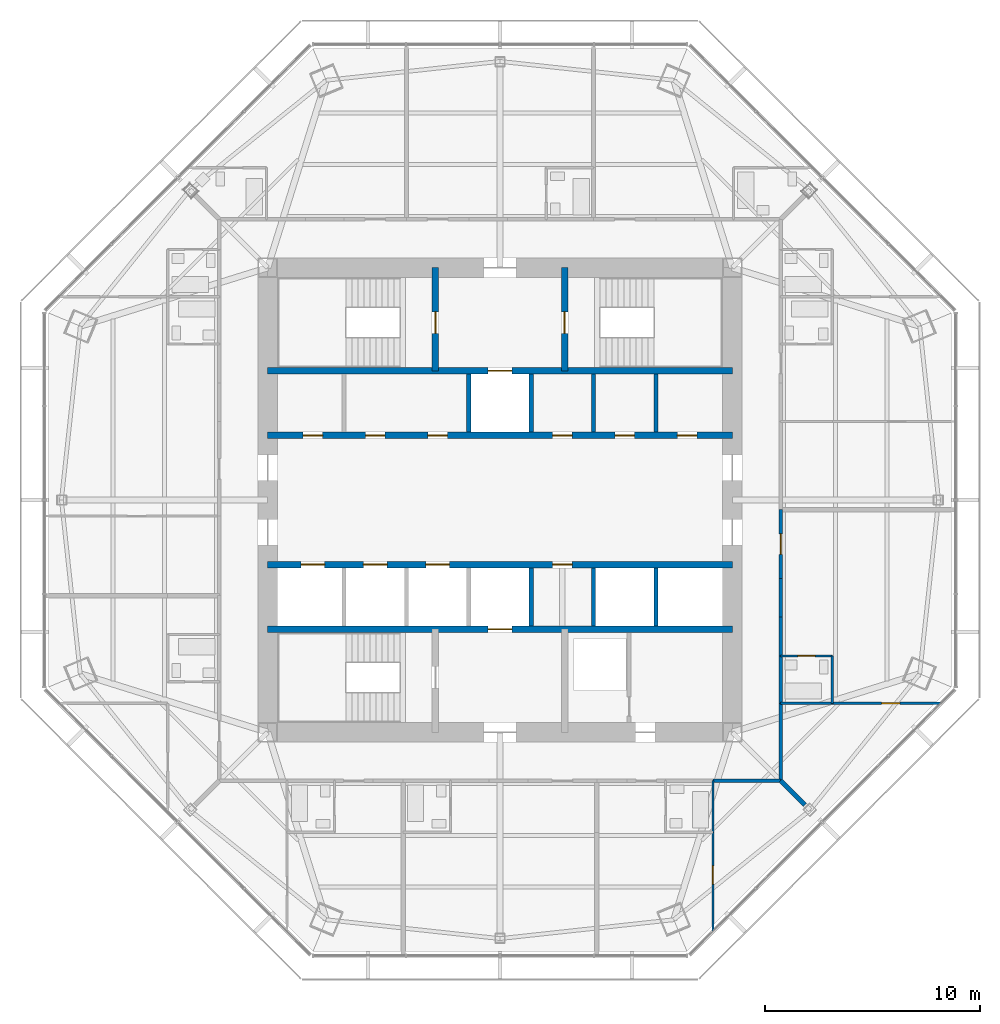
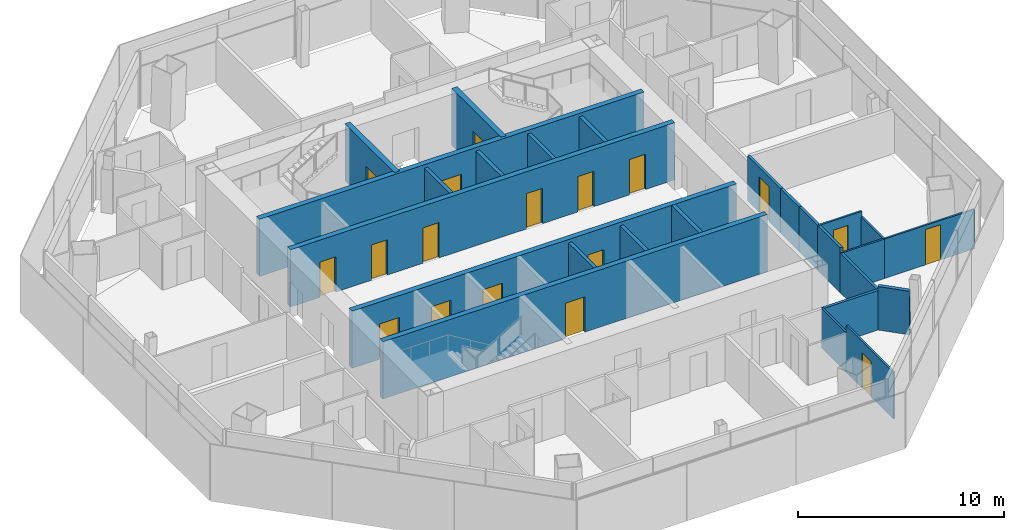
# One storey, part 10 of 14: 26 walls, 18 doors, 18 openings.
"""IFC4 building model written with IfcOpenShell, lengths in metres."""

import ifcopenshell
import ifcopenshell.guid

model = None  # the IFC model being written
_history = None  # IfcOwnerHistory: only IFC2X3 demands one
_inside = {}  # id of a spatial element -> (the spatial element, [elements in it])
_under = {}  # id of a project, library or spatial element -> (it, [spatial elements below it])
_declared = {}  # id of a project -> (the project, [libraries it declares])
_typed = {}  # id of a type object -> (the type object, [elements of that type])
_made_of = {}  # id of a material, layer set ... -> (it, [elements and type objects made of it])


def new_model(schema):
    """Start an empty IFC model of exactly this schema.

    Asked for "IFC4X3", IfcOpenShell would pick the latest addendum, in which some entities
    have other attributes; the version numbers below select the first issue.
    IFC2X3 requires an IfcOwnerHistory on every rooted entity: one is made here for all.
    """
    global model, _history
    if schema == "IFC4X3":
        model = ifcopenshell.file(schema_version=(4, 3, 0, 0))
    else:
        model = ifcopenshell.file(schema=schema)
    _inside.clear()
    _under.clear()
    _declared.clear()
    _typed.clear()
    _made_of.clear()
    _history = None
    if model.schema == "IFC2X3":
        org = make("IfcOrganization", Name="unknown")
        user = make(
            "IfcPersonAndOrganization",
            ThePerson=make("IfcPerson", FamilyName="unknown"),
            TheOrganization=org,
        )
        app = make(
            "IfcApplication",
            ApplicationDeveloper=org,
            Version="unknown",
            ApplicationFullName="unknown",
            ApplicationIdentifier="unknown",
        )
        _history = make(
            "IfcOwnerHistory",
            OwningUser=user,
            OwningApplication=app,
            ChangeAction="ADDED",
            CreationDate=0,
        )
    return model


def make(cls, **values):
    """One entity of the class cls with the attributes given. An attribute that is None is left unset."""
    return model.create_entity(
        cls, **{name: value for name, value in values.items() if value is not None}
    )


def rooted(cls, **values):
    """An entity with a GlobalId (a new one), such as an element, a storey or a relation."""
    return make(cls, GlobalId=ifcopenshell.guid.new(), OwnerHistory=_history, **values)


def si_unit(unit_type, name, prefix=None):
    """IfcSIUnit, for example si_unit("LENGTHUNIT", "METRE", prefix="MILLI")."""
    return make("IfcSIUnit", UnitType=unit_type, Prefix=prefix, Name=name)


def assignment(units):
    """IfcUnitAssignment: the units of a project."""
    return None if units is None else make("IfcUnitAssignment", Units=units)


def point(xyz):
    """IfcCartesianPoint."""
    return None if xyz is None else make("IfcCartesianPoint", Coordinates=xyz)


def direction(xyz):
    """IfcDirection."""
    return None if xyz is None else make("IfcDirection", DirectionRatios=xyz)


def frame(location, z_axis=None, x_axis=None):
    """IfcAxis2Placement3D, a coordinate frame: its origin and axes. An axis left out is left unset."""
    return make(
        "IfcAxis2Placement3D",
        Location=point(location),
        Axis=direction(z_axis),
        RefDirection=direction(x_axis),
    )


def frame_2d(location, x_axis=None):
    """IfcAxis2Placement2D, a coordinate frame in the plane: its origin and x axis."""
    return make(
        "IfcAxis2Placement2D", Location=point(location), RefDirection=direction(x_axis)
    )


def origin():
    """The frame at (0, 0, 0) with its axes left unset."""
    return frame((0.0, 0.0, 0.0))


def place(relative_to, where):
    """IfcLocalPlacement: puts the frame where relative to a parent placement (None: the world)."""
    return make(
        "IfcLocalPlacement", PlacementRelTo=relative_to, RelativePlacement=where
    )


def context(
    kind, dimensions, precision=None, world=None, true_north=None, identifier=None
):
    """IfcGeometricRepresentationContext, for example the 3D "Model" context."""
    return make(
        "IfcGeometricRepresentationContext",
        ContextIdentifier=identifier,
        ContextType=kind,
        CoordinateSpaceDimension=dimensions,
        Precision=precision,
        WorldCoordinateSystem=world,
        TrueNorth=true_north,
    )


def subcontext(parent, identifier, kind, view, scale=None):
    """IfcGeometricRepresentationSubContext, for example "Body" below "Model"."""
    return make(
        "IfcGeometricRepresentationSubContext",
        ContextIdentifier=identifier,
        ContextType=kind,
        ParentContext=parent,
        TargetScale=scale,
        TargetView=view,
    )


def project(units=None, contexts=None):
    """IfcProject with its units and contexts."""
    return rooted(
        "IfcProject",
        Name="project",
        RepresentationContexts=contexts,
        UnitsInContext=assignment(units),
    )


def spatial(cls, under=None, at=None, **own):
    """A site, building, storey or space (cls), placed at a placement, below another one or the project."""
    s = rooted(cls, ObjectPlacement=at, **own)
    if under is not None:
        _under.setdefault(under.id(), (under, []))[1].append(s)
    return s


def profile(cls, at=None, kind="AREA", **sizes):
    """A parametric profile (cls). Its sizes go by their IFC names, for example OverallWidth=200.0."""
    return make(cls, ProfileType=kind, Position=at, **sizes)


def rectangle(**sizes):
    """IfcRectangleProfileDef."""
    return profile("IfcRectangleProfileDef", **sizes)


def extrude(swept, where, along, depth):
    """IfcExtrudedAreaSolid: the profile swept, set in the frame where, extruded along a direction by depth."""
    return make(
        "IfcExtrudedAreaSolid",
        SweptArea=swept,
        Position=where,
        ExtrudedDirection=direction(along),
        Depth=depth,
    )


def shape(context_of_items, identifier, shape_type, items):
    """IfcShapeRepresentation: the items that make up one representation, for example the "Body"."""
    return make(
        "IfcShapeRepresentation",
        ContextOfItems=context_of_items,
        RepresentationIdentifier=identifier,
        RepresentationType=shape_type,
        Items=items,
    )


def material(Name=None, Category=None):
    """IfcMaterial."""
    return make("IfcMaterial", Name=Name, Category=Category)


def layer(
    of_material, thickness, ventilated=None, Name=None, Category=None, Priority=None
):
    """IfcMaterialLayer: one layer of a wall or slab, of a material (None: an air gap)."""
    return make(
        "IfcMaterialLayer",
        Material=of_material,
        LayerThickness=thickness,
        IsVentilated=ventilated,
        Name=Name,
        Category=Category,
        Priority=Priority,
    )


def layer_set(layers, Name=None):
    """IfcMaterialLayerSet."""
    return make("IfcMaterialLayerSet", MaterialLayers=layers, LayerSetName=Name)


def made_of(thing, what):
    """Note that an element or type object is made of a material, layer set ...; save() writes the relation."""
    if what is not None:
        _made_of.setdefault(what.id(), (what, []))[1].append(thing)
    return thing


def type_object(cls, material=None, **own):
    """A type object (cls), such as IfcWallType, which elements share."""
    return made_of(rooted(cls, **own), material)


def element(
    cls,
    number,
    at=None,
    inside=None,
    cuts=None,
    type_object=None,
    material=None,
    context=None,
    identifier="Body",
    shape_type=None,
    held_by="IfcProductDefinitionShape",
    body=None,
    shapes=None,
    **own,
):
    """One element of the class cls, such as IfcWall. Its Tag is "e" and its number.

    at: its placement. inside: the storey or other place that contains it. cuts: it is an
    opening in that element (IfcRelVoidsElement). A single representation is given by context,
    identifier, shape_type and body (its items); several are given by shapes. held_by: the class
    of the entity that holds the representations. save() writes the other relations.
    """
    e = rooted(cls, Tag="e%d" % number, ObjectPlacement=at, **own)
    if body is not None:
        shapes = [shape(context, identifier, shape_type, body)]
    if shapes is not None:
        e.Representation = make(held_by, Representations=shapes)
    if inside is not None:
        _inside.setdefault(inside.id(), (inside, []))[1].append(e)
    if cuts is not None:
        rooted(
            "IfcRelVoidsElement", RelatingBuildingElement=cuts, RelatedOpeningElement=e
        )
    if type_object is not None:
        _typed.setdefault(type_object.id(), (type_object, []))[1].append(e)
    return made_of(e, material)


def fill(opening, filler):
    """IfcRelFillsElement: the door or window that sits in an opening."""
    return rooted(
        "IfcRelFillsElement",
        RelatingOpeningElement=opening,
        RelatedBuildingElement=filler,
    )


def aggregate(whole, parts):
    """IfcRelAggregates: a whole, such as a stair, and the parts it consists of."""
    return rooted("IfcRelAggregates", RelatingObject=whole, RelatedObjects=parts)


def save(model, path):
    """Write the relations noted so far, then the file.

    IfcRelAggregates (storeys below a building ...), IfcRelContainedInSpatialStructure (elements
    in a storey), IfcRelDefinesByType, IfcRelAssociatesMaterial and IfcRelDeclares: one each for
    every whole, place, type object, material and project.
    """
    for whole, parts in _under.values():
        aggregate(whole, parts)
    for where, things in _inside.values():
        rooted(
            "IfcRelContainedInSpatialStructure",
            RelatedElements=things,
            RelatingStructure=where,
        )
    for kind, things in _typed.values():
        rooted("IfcRelDefinesByType", RelatedObjects=things, RelatingType=kind)
    for what, things in _made_of.values():
        rooted("IfcRelAssociatesMaterial", RelatedObjects=things, RelatingMaterial=what)
    for by, libraries in _declared.values():
        rooted("IfcRelDeclares", RelatingContext=by, RelatedDefinitions=libraries)
    model.write(path)


model = new_model("IFC4")

# Units and contexts
model_context = context("Model", 3, precision=1e-05, world=origin(), true_north=direction((0.0, 1.0)))
body_context = subcontext(model_context, "Body", "Model", "MODEL_VIEW")
ifc_project = project(units=[si_unit("LENGTHUNIT", "METRE"), si_unit("AREAUNIT", "SQUARE_METRE"), si_unit("VOLUMEUNIT", "CUBIC_METRE"), si_unit("PLANEANGLEUNIT", "RADIAN"), si_unit("MASSUNIT", "GRAM", prefix="KILO")], contexts=[model_context])

# Site, building, storey
site_placement = place(None, origin())
site = spatial("IfcSite", under=ifc_project, at=site_placement, CompositionType="ELEMENT")
building_placement = place(site_placement, origin())
building = spatial("IfcBuilding", under=site, at=building_placement, Name="Mashrafa Tower", CompositionType="ELEMENT")
storey_placement = place(building_placement, frame((0.0, 0.0, 241.39990234375)))
storey = spatial("IfcBuildingStorey", under=building, at=storey_placement, Name="L57", CompositionType="ELEMENT", Elevation=241.39990234375)

# Wall
ifc_material_1 = material(Name="Gypsum board on steel studs", Category="steel")
ifc_layer_1 = layer(ifc_material_1, 0.199951171875)
ifc_layer_set_1 = layer_set([ifc_layer_1], Name="Acoustic partition 200 1 hr")
wall_type_1 = type_object("IfcWallType", Name="Acoustic partition 200 1 hr", PredefinedType="PARTITIONING", material=ifc_layer_set_1)
wall_1_placement = place(storey_placement, frame((13.050048828125, -13.050048828125, 0.0), z_axis=(0.0, 0.0, 1.0), x_axis=(0.707106781187, -0.707106781187, 0.0)))
element("IfcWall", 1, at=wall_1_placement, inside=storey, type_object=wall_type_1, Name="Acoustic wall L57-048", PredefinedType="PARTITIONING", context=body_context, shape_type="SweptSolid", body=[
    extrude(rectangle(XDim=1.58984375, YDim=0.199951171875, at=frame_2d((0.794921875, 0.0))), origin(), (0.0, 0.0, 1.0), 2.588134765625),
])

# Wall, openings, doors
ifc_material_2 = material(Name="Concrete C50/60", Category="concrete")
ifc_layer_2 = layer(ifc_material_2, 0.300048828125)
ifc_layer_set_2 = layer_set([ifc_layer_2], Name="Core wall 300 C50/60")
wall_type_2 = type_object("IfcWallType", Name="Core wall 300 C50/60", PredefinedType="SOLIDWALL", material=ifc_layer_set_2)
wall_2_placement = place(storey_placement, frame((-10.800048828125, 3.0, 0.0), z_axis=(0.0, 0.0, 1.0), x_axis=(1.0, 0.0, 0.0)))
wall_2 = element("IfcWall", 2, at=wall_2_placement, inside=storey, type_object=wall_type_2, Name="Core wall CH-N L57", PredefinedType="SOLIDWALL", context=body_context, shape_type="SweptSolid", body=[
    extrude(rectangle(XDim=21.60009765625, YDim=0.300048828125, at=frame_2d((10.800048828125, 0.0))), origin(), (0.0, 0.0, 1.0), 3.400146484375),
])
opening_1_placement = place(wall_2_placement, frame((1.64990234375, 0.0, 0.0)))
opening_1 = element("IfcOpeningElement", 3, at=opening_1_placement, cuts=wall_2, Name="Opening 57.042", PredefinedType="OPENING", context=body_context, shape_type="SweptSolid", body=[
    extrude(rectangle(XDim=0.89990234375, YDim=2.10009765625, at=frame_2d((0.449951171875, 1.050048828125))), frame((0.0, 0.159912109375, 0.0), z_axis=(0.0, -1.0, 0.0), x_axis=(1.0, 0.0, 0.0)), (0.0, 0.0, 1.0), 0.320068359375),
])
opening_2_placement = place(wall_2_placement, frame((4.550048828125, 0.0, 0.0)))
opening_2 = element("IfcOpeningElement", 4, at=opening_2_placement, cuts=wall_2, Name="Opening 57.043", PredefinedType="OPENING", context=body_context, shape_type="SweptSolid", body=[
    extrude(rectangle(XDim=0.89990234375, YDim=2.10009765625, at=frame_2d((0.449951171875, 1.050048828125))), frame((0.0, 0.159912109375, 0.0), z_axis=(0.0, -1.0, 0.0), x_axis=(1.0, 0.0, 0.0)), (0.0, 0.0, 1.0), 0.320068359375),
])
opening_3_placement = place(wall_2_placement, frame((7.449951171875, 0.0, 0.0)))
opening_3 = element("IfcOpeningElement", 5, at=opening_3_placement, cuts=wall_2, Name="Opening 57.044", PredefinedType="OPENING", context=body_context, shape_type="SweptSolid", body=[
    extrude(rectangle(XDim=0.89990234375, YDim=2.10009765625, at=frame_2d((0.449951171875, 1.050048828125))), frame((0.0, 0.159912109375, 0.0), z_axis=(0.0, -1.0, 0.0), x_axis=(1.0, 0.0, 0.0)), (0.0, 0.0, 1.0), 0.320068359375),
])
opening_4_placement = place(wall_2_placement, frame((13.25, 0.0, 0.0)))
opening_4 = element("IfcOpeningElement", 6, at=opening_4_placement, cuts=wall_2, Name="Opening 57.045", PredefinedType="OPENING", context=body_context, shape_type="SweptSolid", body=[
    extrude(rectangle(XDim=0.89990234375, YDim=2.10009765625, at=frame_2d((0.449951171875, 1.050048828125))), frame((0.0, 0.159912109375, 0.0), z_axis=(0.0, -1.0, 0.0), x_axis=(1.0, 0.0, 0.0)), (0.0, 0.0, 1.0), 0.320068359375),
])
opening_5_placement = place(wall_2_placement, frame((16.14990234375, 0.0, 0.0)))
opening_5 = element("IfcOpeningElement", 7, at=opening_5_placement, cuts=wall_2, Name="Opening 57.047", PredefinedType="OPENING", context=body_context, shape_type="SweptSolid", body=[
    extrude(rectangle(XDim=0.89990234375, YDim=2.10009765625, at=frame_2d((0.449951171875, 1.050048828125))), frame((0.0, 0.159912109375, 0.0), z_axis=(0.0, -1.0, 0.0), x_axis=(1.0, 0.0, 0.0)), (0.0, 0.0, 1.0), 0.320068359375),
])
opening_6_placement = place(wall_2_placement, frame((19.050048828125, 0.0, 0.0)))
opening_6 = element("IfcOpeningElement", 8, at=opening_6_placement, cuts=wall_2, Name="Opening 57.048", PredefinedType="OPENING", context=body_context, shape_type="SweptSolid", body=[
    extrude(rectangle(XDim=0.89990234375, YDim=2.10009765625, at=frame_2d((0.449951171875, 1.050048828125))), frame((0.0, 0.159912109375, 0.0), z_axis=(0.0, -1.0, 0.0), x_axis=(1.0, 0.0, 0.0)), (0.0, 0.0, 1.0), 0.320068359375),
])
ifc_material_3 = material(Name="Timber door", Category="wood")
door_type_1 = type_object("IfcDoorType", Name="Store door 900 x 2100", OperationType="USERDEFINED", PredefinedType="DOOR", material=ifc_material_3)
door_1_placement = place(opening_1_placement, origin())
door_1 = element("IfcDoor", 9, at=door_1_placement, inside=storey, type_object=door_type_1, Name="Refuse Chute Room L57 door", OperationType="SINGLE_SWING_RIGHT", OverallHeight=2.10009765625, OverallWidth=0.89990234375, PredefinedType="DOOR", context=body_context, shape_type="SweptSolid", body=[
    extrude(rectangle(XDim=0.89990234375, YDim=2.10009765625, at=frame_2d((0.449951171875, 1.050048828125))), frame((0.0, 0.02490234375, 0.0), z_axis=(0.0, -1.0, 0.0), x_axis=(1.0, 0.0, 0.0)), (0.0, 0.0, 1.0), 0.050048828125),
])
fill(opening_1, door_1)
door_2_placement = place(opening_2_placement, origin())
door_2 = element("IfcDoor", 10, at=door_2_placement, inside=storey, type_object=door_type_1, Name="Housekeeping and Linen Room L57 door", OperationType="SINGLE_SWING_LEFT", OverallHeight=2.10009765625, OverallWidth=0.89990234375, PredefinedType="DOOR", context=body_context, shape_type="SweptSolid", body=[
    extrude(rectangle(XDim=0.89990234375, YDim=2.10009765625, at=frame_2d((0.449951171875, 1.050048828125))), frame((0.0, 0.02490234375, 0.0), z_axis=(0.0, -1.0, 0.0), x_axis=(1.0, 0.0, 0.0)), (0.0, 0.0, 1.0), 0.050048828125),
])
fill(opening_2, door_2)
door_3_placement = place(opening_3_placement, origin())
door_3 = element("IfcDoor", 11, at=door_3_placement, inside=storey, type_object=door_type_1, Name="Housekeeping and Linen Room L57 door", OperationType="SINGLE_SWING_RIGHT", OverallHeight=2.10009765625, OverallWidth=0.89990234375, PredefinedType="DOOR", context=body_context, shape_type="SweptSolid", body=[
    extrude(rectangle(XDim=0.89990234375, YDim=2.10009765625, at=frame_2d((0.449951171875, 1.050048828125))), frame((0.0, 0.02490234375, 0.0), z_axis=(0.0, -1.0, 0.0), x_axis=(1.0, 0.0, 0.0)), (0.0, 0.0, 1.0), 0.050048828125),
])
fill(opening_3, door_3)
door_4_placement = place(opening_4_placement, origin())
door_4 = element("IfcDoor", 12, at=door_4_placement, inside=storey, type_object=door_type_1, Name="Cleaner's Store L57 door", OperationType="SINGLE_SWING_LEFT", OverallHeight=2.10009765625, OverallWidth=0.89990234375, PredefinedType="DOOR", context=body_context, shape_type="SweptSolid", body=[
    extrude(rectangle(XDim=0.89990234375, YDim=2.10009765625, at=frame_2d((0.449951171875, 1.050048828125))), frame((0.0, 0.02490234375, 0.0), z_axis=(0.0, -1.0, 0.0), x_axis=(1.0, 0.0, 0.0)), (0.0, 0.0, 1.0), 0.050048828125),
])
fill(opening_4, door_4)
door_5_placement = place(opening_5_placement, origin())
door_5 = element("IfcDoor", 13, at=door_5_placement, inside=storey, type_object=door_type_1, Name="Residents' Store L57-K1 door", OperationType="SINGLE_SWING_LEFT", OverallHeight=2.10009765625, OverallWidth=0.89990234375, PredefinedType="DOOR", context=body_context, shape_type="SweptSolid", body=[
    extrude(rectangle(XDim=0.89990234375, YDim=2.10009765625, at=frame_2d((0.449951171875, 1.050048828125))), frame((0.0, 0.02490234375, 0.0), z_axis=(0.0, -1.0, 0.0), x_axis=(1.0, 0.0, 0.0)), (0.0, 0.0, 1.0), 0.050048828125),
])
fill(opening_5, door_5)
door_6_placement = place(opening_6_placement, origin())
door_6 = element("IfcDoor", 14, at=door_6_placement, inside=storey, type_object=door_type_1, Name="Residents' Store L57-K2 door", OperationType="SINGLE_SWING_LEFT", OverallHeight=2.10009765625, OverallWidth=0.89990234375, PredefinedType="DOOR", context=body_context, shape_type="SweptSolid", body=[
    extrude(rectangle(XDim=0.89990234375, YDim=2.10009765625, at=frame_2d((0.449951171875, 1.050048828125))), frame((0.0, 0.02490234375, 0.0), z_axis=(0.0, -1.0, 0.0), x_axis=(1.0, 0.0, 0.0)), (0.0, 0.0, 1.0), 0.050048828125),
])
fill(opening_6, door_6)

# Wall, opening, door
wall_3_placement = place(storey_placement, frame((-10.800048828125, 6.0, 0.0), z_axis=(0.0, 0.0, 1.0), x_axis=(1.0, 0.0, 0.0)))
wall_3 = element("IfcWall", 15, at=wall_3_placement, inside=storey, type_object=wall_type_2, Name="Core wall CB-N L57", PredefinedType="SOLIDWALL", context=body_context, shape_type="SweptSolid", body=[
    extrude(rectangle(XDim=21.60009765625, YDim=0.300048828125, at=frame_2d((10.800048828125, 0.0))), origin(), (0.0, 0.0, 1.0), 3.400146484375),
])
opening_7_placement = place(wall_3_placement, frame((10.25, 0.0, 0.0)))
opening_7 = element("IfcOpeningElement", 16, at=opening_7_placement, cuts=wall_3, Name="Opening 57.F1", PredefinedType="OPENING", context=body_context, shape_type="SweptSolid", body=[
    extrude(rectangle(XDim=1.10009765625, YDim=2.10009765625, at=frame_2d((0.550048828125, 1.050048828125))), frame((0.0, 0.159912109375, 0.0), z_axis=(0.0, -1.0, 0.0), x_axis=(1.0, 0.0, 0.0)), (0.0, 0.0, 1.0), 0.320068359375),
])
ifc_material_4 = material(Name="Steel door", Category="steel")
door_type_2 = type_object("IfcDoorType", Name="Lift landing door 1100 x 2100 90 min", OperationType="DOUBLE_DOOR_SLIDING", PredefinedType="DOOR", material=ifc_material_4)
door_7_placement = place(opening_7_placement, origin())
door_7 = element("IfcDoor", 17, at=door_7_placement, inside=storey, type_object=door_type_2, Name="Lift landing door F1 L57", OperationType="DOUBLE_DOOR_SLIDING", OverallHeight=2.10009765625, OverallWidth=1.10009765625, PredefinedType="DOOR", context=body_context, shape_type="SweptSolid", body=[
    extrude(rectangle(XDim=1.10009765625, YDim=2.10009765625, at=frame_2d((0.550048828125, 1.050048828125))), frame((0.0, 0.02490234375, 0.0), z_axis=(0.0, -1.0, 0.0), x_axis=(1.0, 0.0, 0.0)), (0.0, 0.0, 1.0), 0.050048828125),
])
fill(opening_7, door_7)

wall_4_placement = place(storey_placement, frame((-3.0, 6.0, 0.0), z_axis=(0.0, 0.0, 1.0), x_axis=(0.0, 1.0, 0.0)))
wall_4 = element("IfcWall", 18, at=wall_4_placement, inside=storey, type_object=wall_type_2, Name="Core wall CX-NW L57", PredefinedType="SOLIDWALL", context=body_context, shape_type="SweptSolid", body=[
    extrude(rectangle(XDim=4.800048828125, YDim=0.300048828125, at=frame_2d((2.39990234375, 0.0))), origin(), (0.0, 0.0, 1.0), 3.400146484375),
])
opening_8_placement = place(wall_4_placement, frame((1.75, 0.0, 0.0)))
opening_8 = element("IfcOpeningElement", 19, at=opening_8_placement, cuts=wall_4, Name="Opening 57.037", PredefinedType="OPENING", context=body_context, shape_type="SweptSolid", body=[
    extrude(rectangle(XDim=1.0, YDim=2.10009765625, at=frame_2d((0.5, 1.050048828125))), frame((0.0, 0.159912109375, 0.0), z_axis=(0.0, -1.0, 0.0), x_axis=(1.0, 0.0, 0.0)), (0.0, 0.0, 1.0), 0.320068359375),
])
ifc_material_5 = material(Name="Steel door", Category="steel")
door_type_3 = type_object("IfcDoorType", Name="Stair door 1000 x 2100 90 min", OperationType="USERDEFINED", PredefinedType="DOOR", material=ifc_material_5)
door_8_placement = place(opening_8_placement, origin())
door_8 = element("IfcDoor", 20, at=door_8_placement, inside=storey, type_object=door_type_3, Name="Stair S1 door L57", OperationType="SINGLE_SWING_LEFT", OverallHeight=2.10009765625, OverallWidth=1.0, PredefinedType="DOOR", context=body_context, shape_type="SweptSolid", body=[
    extrude(rectangle(XDim=1.0, YDim=2.10009765625, at=frame_2d((0.5, 1.050048828125))), frame((0.0, 0.02490234375, 0.0), z_axis=(0.0, -1.0, 0.0), x_axis=(1.0, 0.0, 0.0)), (0.0, 0.0, 1.0), 0.050048828125),
])
fill(opening_8, door_8)

wall_5_placement = place(storey_placement, frame((3.0, 6.0, 0.0), z_axis=(0.0, 0.0, 1.0), x_axis=(0.0, 1.0, 0.0)))
wall_5 = element("IfcWall", 21, at=wall_5_placement, inside=storey, type_object=wall_type_2, Name="Core wall CX-NE L57", PredefinedType="SOLIDWALL", context=body_context, shape_type="SweptSolid", body=[
    extrude(rectangle(XDim=4.800048828125, YDim=0.300048828125, at=frame_2d((2.39990234375, 0.0))), origin(), (0.0, 0.0, 1.0), 3.400146484375),
])
opening_9_placement = place(wall_5_placement, frame((1.75, 0.0, 0.0)))
opening_9 = element("IfcOpeningElement", 22, at=opening_9_placement, cuts=wall_5, Name="Opening 57.038", PredefinedType="OPENING", context=body_context, shape_type="SweptSolid", body=[
    extrude(rectangle(XDim=1.0, YDim=2.10009765625, at=frame_2d((0.5, 1.050048828125))), frame((0.0, 0.159912109375, 0.0), z_axis=(0.0, -1.0, 0.0), x_axis=(1.0, 0.0, 0.0)), (0.0, 0.0, 1.0), 0.320068359375),
])
door_9_placement = place(opening_9_placement, frame((1.0, 0.0, 0.0), z_axis=(0.0, 0.0, 1.0), x_axis=(-1.0, 0.0, 0.0)))
door_9 = element("IfcDoor", 23, at=door_9_placement, inside=storey, type_object=door_type_3, Name="Stair S2 door L57", OperationType="SINGLE_SWING_RIGHT", OverallHeight=2.10009765625, OverallWidth=1.0, PredefinedType="DOOR", context=body_context, shape_type="SweptSolid", body=[
    extrude(rectangle(XDim=1.0, YDim=2.10009765625, at=frame_2d((0.5, 1.050048828125))), frame((0.0, 0.02490234375, 0.0), z_axis=(0.0, -1.0, 0.0), x_axis=(1.0, 0.0, 0.0)), (0.0, 0.0, 1.0), 0.050048828125),
])
fill(opening_9, door_9)

# Wall, openings, doors
wall_6_placement = place(storey_placement, frame((-10.800048828125, -3.0, 0.0), z_axis=(0.0, 0.0, 1.0), x_axis=(1.0, 0.0, 0.0)))
wall_6 = element("IfcWall", 24, at=wall_6_placement, inside=storey, type_object=wall_type_2, Name="Core wall CH-S L57", PredefinedType="SOLIDWALL", context=body_context, shape_type="SweptSolid", body=[
    extrude(rectangle(XDim=21.60009765625, YDim=0.300048828125, at=frame_2d((10.800048828125, 0.0))), origin(), (0.0, 0.0, 1.0), 3.400146484375),
])
opening_10_placement = place(wall_6_placement, frame((13.25, 0.0, 0.0)))
opening_10 = element("IfcOpeningElement", 25, at=opening_10_placement, cuts=wall_6, Name="Opening 57.046", PredefinedType="OPENING", context=body_context, shape_type="SweptSolid", body=[
    extrude(rectangle(XDim=0.89990234375, YDim=2.10009765625, at=frame_2d((0.449951171875, 1.050048828125))), frame((0.0, 0.159912109375, 0.0), z_axis=(0.0, -1.0, 0.0), x_axis=(1.0, 0.0, 0.0)), (0.0, 0.0, 1.0), 0.320068359375),
])
opening_11_placement = place(wall_6_placement, frame((1.550048828125, 0.0, 0.0)))
opening_11 = element("IfcOpeningElement", 26, at=opening_11_placement, cuts=wall_6, Name="Opening 57.AL1", PredefinedType="OPENING", context=body_context, shape_type="SweptSolid", body=[
    extrude(rectangle(XDim=1.10009765625, YDim=2.10009765625, at=frame_2d((0.550048828125, 1.050048828125))), frame((0.0, 0.159912109375, 0.0), z_axis=(0.0, -1.0, 0.0), x_axis=(1.0, 0.0, 0.0)), (0.0, 0.0, 1.0), 0.320068359375),
])
opening_12_placement = place(wall_6_placement, frame((4.449951171875, 0.0, 0.0)))
opening_12 = element("IfcOpeningElement", 27, at=opening_12_placement, cuts=wall_6, Name="Opening 57.AL2", PredefinedType="OPENING", context=body_context, shape_type="SweptSolid", body=[
    extrude(rectangle(XDim=1.10009765625, YDim=2.10009765625, at=frame_2d((0.550048828125, 1.050048828125))), frame((0.0, 0.159912109375, 0.0), z_axis=(0.0, -1.0, 0.0), x_axis=(1.0, 0.0, 0.0)), (0.0, 0.0, 1.0), 0.320068359375),
])
opening_13_placement = place(wall_6_placement, frame((7.35009765625, 0.0, 0.0)))
opening_13 = element("IfcOpeningElement", 28, at=opening_13_placement, cuts=wall_6, Name="Opening 57.AL3", PredefinedType="OPENING", context=body_context, shape_type="SweptSolid", body=[
    extrude(rectangle(XDim=1.10009765625, YDim=2.10009765625, at=frame_2d((0.550048828125, 1.050048828125))), frame((0.0, 0.159912109375, 0.0), z_axis=(0.0, -1.0, 0.0), x_axis=(1.0, 0.0, 0.0)), (0.0, 0.0, 1.0), 0.320068359375),
])
door_10_placement = place(opening_11_placement, origin())
door_10 = element("IfcDoor", 29, at=door_10_placement, inside=storey, type_object=door_type_2, Name="Lift landing door AL1 L57", OperationType="DOUBLE_DOOR_SLIDING", OverallHeight=2.10009765625, OverallWidth=1.10009765625, PredefinedType="DOOR", context=body_context, shape_type="SweptSolid", body=[
    extrude(rectangle(XDim=1.10009765625, YDim=2.10009765625, at=frame_2d((0.550048828125, 1.050048828125))), frame((0.0, 0.02490234375, 0.0), z_axis=(0.0, -1.0, 0.0), x_axis=(1.0, 0.0, 0.0)), (0.0, 0.0, 1.0), 0.050048828125),
])
fill(opening_11, door_10)
door_11_placement = place(opening_12_placement, origin())
door_11 = element("IfcDoor", 30, at=door_11_placement, inside=storey, type_object=door_type_2, Name="Lift landing door AL2 L57", OperationType="DOUBLE_DOOR_SLIDING", OverallHeight=2.10009765625, OverallWidth=1.10009765625, PredefinedType="DOOR", context=body_context, shape_type="SweptSolid", body=[
    extrude(rectangle(XDim=1.10009765625, YDim=2.10009765625, at=frame_2d((0.550048828125, 1.050048828125))), frame((0.0, 0.02490234375, 0.0), z_axis=(0.0, -1.0, 0.0), x_axis=(1.0, 0.0, 0.0)), (0.0, 0.0, 1.0), 0.050048828125),
])
fill(opening_12, door_11)
door_12_placement = place(opening_13_placement, origin())
door_12 = element("IfcDoor", 31, at=door_12_placement, inside=storey, type_object=door_type_2, Name="Lift landing door AL3 L57", OperationType="DOUBLE_DOOR_SLIDING", OverallHeight=2.10009765625, OverallWidth=1.10009765625, PredefinedType="DOOR", context=body_context, shape_type="SweptSolid", body=[
    extrude(rectangle(XDim=1.10009765625, YDim=2.10009765625, at=frame_2d((0.550048828125, 1.050048828125))), frame((0.0, 0.02490234375, 0.0), z_axis=(0.0, -1.0, 0.0), x_axis=(1.0, 0.0, 0.0)), (0.0, 0.0, 1.0), 0.050048828125),
])
fill(opening_13, door_12)
door_13_placement = place(opening_10_placement, frame((0.89990234375, 0.0, 0.0), z_axis=(0.0, 0.0, 1.0), x_axis=(-1.0, 0.0, 0.0)))
door_13 = element("IfcDoor", 32, at=door_13_placement, inside=storey, type_object=door_type_1, Name="Communications Room L57 door", OperationType="SINGLE_SWING_RIGHT", OverallHeight=2.10009765625, OverallWidth=0.89990234375, PredefinedType="DOOR", context=body_context, shape_type="SweptSolid", body=[
    extrude(rectangle(XDim=0.89990234375, YDim=2.10009765625, at=frame_2d((0.449951171875, 1.050048828125))), frame((0.0, 0.02490234375, 0.0), z_axis=(0.0, -1.0, 0.0), x_axis=(1.0, 0.0, 0.0)), (0.0, 0.0, 1.0), 0.050048828125),
])
fill(opening_10, door_13)

# Wall, opening, door
wall_7_placement = place(storey_placement, frame((-10.800048828125, -6.0, 0.0), z_axis=(0.0, 0.0, 1.0), x_axis=(1.0, 0.0, 0.0)))
wall_7 = element("IfcWall", 33, at=wall_7_placement, inside=storey, type_object=wall_type_2, Name="Core wall CB-S L57", PredefinedType="SOLIDWALL", context=body_context, shape_type="SweptSolid", body=[
    extrude(rectangle(XDim=21.60009765625, YDim=0.300048828125, at=frame_2d((10.800048828125, 0.0))), origin(), (0.0, 0.0, 1.0), 3.400146484375),
])
opening_14_placement = place(wall_7_placement, frame((10.25, 0.0, 0.0)))
opening_14 = element("IfcOpeningElement", 34, at=opening_14_placement, cuts=wall_7, Name="Opening 57.F2", PredefinedType="OPENING", context=body_context, shape_type="SweptSolid", body=[
    extrude(rectangle(XDim=1.10009765625, YDim=2.10009765625, at=frame_2d((0.550048828125, 1.050048828125))), frame((0.0, 0.159912109375, 0.0), z_axis=(0.0, -1.0, 0.0), x_axis=(1.0, 0.0, 0.0)), (0.0, 0.0, 1.0), 0.320068359375),
])
door_14_placement = place(opening_14_placement, origin())
door_14 = element("IfcDoor", 35, at=door_14_placement, inside=storey, type_object=door_type_2, Name="Lift landing door F2 L57", OperationType="DOUBLE_DOOR_SLIDING", OverallHeight=2.10009765625, OverallWidth=1.10009765625, PredefinedType="DOOR", context=body_context, shape_type="SweptSolid", body=[
    extrude(rectangle(XDim=1.10009765625, YDim=2.10009765625, at=frame_2d((0.550048828125, 1.050048828125))), frame((0.0, 0.02490234375, 0.0), z_axis=(0.0, -1.0, 0.0), x_axis=(1.0, 0.0, 0.0)), (0.0, 0.0, 1.0), 0.050048828125),
])
fill(opening_14, door_14)

# Walls
ifc_material_6 = material(Name="Gypsum board on steel studs", Category="steel")
ifc_layer_3 = layer(ifc_material_6, 0.14990234375)
ifc_layer_set_3 = layer_set([ifc_layer_3], Name="Corridor partition 150 1 hr")
wall_type_3 = type_object("IfcWallType", Name="Corridor partition 150 1 hr", PredefinedType="PARTITIONING", material=ifc_layer_set_3)
wall_8_placement = place(storey_placement, frame((13.050048828125, -13.050048828125, 0.0), z_axis=(0.0, 0.0, 1.0), x_axis=(0.0, 1.0, 0.0)))
element("IfcWall", 36, at=wall_8_placement, inside=storey, type_object=wall_type_3, Name="Corridor wall L57-001", PredefinedType="PARTITIONING", context=body_context, shape_type="SweptSolid", body=[
    extrude(rectangle(XDim=3.60107421875, YDim=0.14990234375, at=frame_2d((1.800537109375, 0.0))), origin(), (0.0, 0.0, 1.0), 2.349365234375),
])
wall_9_placement = place(storey_placement, frame((13.050048828125, -9.450927734375, 0.0), z_axis=(0.0, 0.0, 1.0), x_axis=(0.0, 1.0, 0.0)))
element("IfcWall", 37, at=wall_9_placement, inside=storey, type_object=wall_type_3, Name="Corridor wall L57-002", PredefinedType="PARTITIONING", context=body_context, shape_type="SweptSolid", body=[
    extrude(rectangle(XDim=2.201904296875, YDim=0.14990234375, at=frame_2d((1.10107421875, 0.0))), origin(), (0.0, 0.0, 1.0), 2.661865234375),
])
for number, where, z_axis, x_axis, name in (
    (38, (13.050048828125, -5.450927734375, 0.0), (0.0, 0.0, 1.0), (0.0, 1.0, 0.0), "Corridor wall L57-003"),
    (39, (13.050048828125, -7.2509765625, 0.0), (0.0, 0.0, 1.0), (0.0, 1.0, 0.0), "Corridor wall L57-004"),
):
    element("IfcWall", number, at=place(storey_placement, frame(where, z_axis=z_axis, x_axis=x_axis)), inside=storey, type_object=wall_type_3, Name=name, PredefinedType="PARTITIONING", context=body_context, shape_type="SweptSolid", body=[
        extrude(rectangle(XDim=1.802001953125, YDim=0.14990234375, at=frame_2d((0.90087890625, 0.0))), origin(), (0.0, 0.0, 1.0), 2.661865234375),
    ])

# Wall, opening, door
wall_10_placement = place(storey_placement, frame((13.050048828125, -3.65087890625, 0.0), z_axis=(0.0, 0.0, 1.0), x_axis=(0.0, 1.0, 0.0)))
wall_10 = element("IfcWall", 40, at=wall_10_placement, inside=storey, type_object=wall_type_3, Name="Corridor wall L57-005", PredefinedType="PARTITIONING", context=body_context, shape_type="SweptSolid", body=[
    extrude(rectangle(XDim=3.201904296875, YDim=0.14990234375, at=frame_2d((1.60107421875, 0.0))), origin(), (0.0, 0.0, 1.0), 2.661865234375),
])
opening_15_placement = place(wall_10_placement, frame((1.1259765625, 0.0, 0.0)))
opening_15 = element("IfcOpeningElement", 41, at=opening_15_placement, cuts=wall_10, Name="Opening 57.003", PredefinedType="OPENING", context=body_context, shape_type="SweptSolid", body=[
    extrude(rectangle(XDim=0.949951171875, YDim=2.10009765625, at=frame_2d((0.47509765625, 1.050048828125))), frame((0.0, 0.0849609375, 0.0), z_axis=(0.0, -1.0, 0.0), x_axis=(1.0, 0.0, 0.0)), (0.0, 0.0, 1.0), 0.169921875),
])
ifc_material_7 = material(Name="Steel door", Category="steel")
door_type_4 = type_object("IfcDoorType", Name="Residence entrance door 950 x 2100 20 min", OperationType="USERDEFINED", PredefinedType="DOOR", material=ifc_material_7)
door_15_placement = place(opening_15_placement, frame((0.949951171875, 0.0, 0.0), z_axis=(0.0, 0.0, 1.0), x_axis=(-1.0, 0.0, 0.0)))
door_15 = element("IfcDoor", 42, at=door_15_placement, inside=storey, type_object=door_type_4, Name="Apartment 5701 Living Room door", OperationType="SINGLE_SWING_LEFT", OverallHeight=2.10009765625, OverallWidth=0.949951171875, PredefinedType="DOOR", context=body_context, shape_type="SweptSolid", body=[
    extrude(rectangle(XDim=0.949951171875, YDim=2.10009765625, at=frame_2d((0.47509765625, 1.050048828125))), frame((0.0, 0.02490234375, 0.0), z_axis=(0.0, -1.0, 0.0), x_axis=(1.0, 0.0, 0.0)), (0.0, 0.0, 1.0), 0.050048828125),
])
fill(opening_15, door_15)

# Walls
wall_11_placement = place(storey_placement, frame((9.89892578125, -13.050048828125, 0.0), z_axis=(0.0, 0.0, 1.0), x_axis=(1.0, 0.0, 0.0)))
element("IfcWall", 43, at=wall_11_placement, inside=storey, type_object=wall_type_3, Name="Corridor wall L57-042", PredefinedType="PARTITIONING", context=body_context, shape_type="SweptSolid", body=[
    extrude(rectangle(XDim=3.151123046875, YDim=0.14990234375, at=frame_2d((1.57568359375, 0.0))), origin(), (0.0, 0.0, 1.0), 2.349365234375),
])
ifc_material_8 = material(Name="Gypsum board on steel studs", Category="steel")
ifc_layer_4 = layer(ifc_material_8, 0.10009765625)
ifc_layer_set_4 = layer_set([ifc_layer_4], Name="Partition 100")
wall_type_4 = type_object("IfcWallType", Name="Partition 100", PredefinedType="PARTITIONING", material=ifc_layer_set_4)
wall_12_placement = place(storey_placement, frame((15.450927734375, -9.449951171875, 0.0), z_axis=(0.0, 0.0, 1.0), x_axis=(-1.0, 0.0, 0.0)))
element("IfcWall", 44, at=wall_12_placement, inside=storey, type_object=wall_type_4, Name="Partition wall L57-046", PredefinedType="PARTITIONING", context=body_context, shape_type="SweptSolid", body=[
    extrude(rectangle(XDim=2.40087890625, YDim=0.10009765625, at=frame_2d((1.200439453125, 0.0))), origin(), (0.0, 0.0, 1.0), 2.349365234375),
])

# Wall, opening, door
wall_13_placement = place(storey_placement, frame((20.489501953125, -9.449951171875, 0.0), z_axis=(0.0, 0.0, 1.0), x_axis=(-1.0, 0.0, 0.0)))
wall_13 = element("IfcWall", 45, at=wall_13_placement, inside=storey, type_object=wall_type_4, Name="Partition wall L57-047", PredefinedType="PARTITIONING", context=body_context, shape_type="SweptSolid", body=[
    extrude(rectangle(XDim=5.04052734375, YDim=0.10009765625, at=frame_2d((2.520263671875, 0.0))), origin(), (0.0, 0.0, 1.0), 2.349365234375),
])
opening_16_placement = place(wall_13_placement, frame((1.8984375, 0.0, 0.0)))
opening_16 = element("IfcOpeningElement", 46, at=opening_16_placement, cuts=wall_13, Name="Opening 57.001", PredefinedType="OPENING", context=body_context, shape_type="SweptSolid", body=[
    extrude(rectangle(XDim=0.85009765625, YDim=2.10009765625, at=frame_2d((0.425048828125, 1.050048828125))), frame((0.0, 0.06005859375, 0.0), z_axis=(0.0, -1.0, 0.0), x_axis=(1.0, 0.0, 0.0)), (0.0, 0.0, 1.0), 0.1201171875),
])
ifc_material_9 = material(Name="Timber door", Category="wood")
door_type_5 = type_object("IfcDoorType", Name="Bedroom door 850 x 2100", OperationType="USERDEFINED", PredefinedType="DOOR", material=ifc_material_9)
door_16_placement = place(opening_16_placement, origin())
door_16 = element("IfcDoor", 47, at=door_16_placement, inside=storey, type_object=door_type_5, Name="Apartment 5701 Bedroom 1 door", OperationType="SINGLE_SWING_LEFT", OverallHeight=2.10009765625, OverallWidth=0.85009765625, PredefinedType="DOOR", context=body_context, shape_type="SweptSolid", body=[
    extrude(rectangle(XDim=0.85009765625, YDim=2.10009765625, at=frame_2d((0.425048828125, 1.050048828125))), frame((0.0, 0.02490234375, 0.0), z_axis=(0.0, -1.0, 0.0), x_axis=(1.0, 0.0, 0.0)), (0.0, 0.0, 1.0), 0.050048828125),
])
fill(opening_16, door_16)

# Wall
wall_14_placement = place(storey_placement, frame((15.449951171875, -9.449951171875, 0.0), z_axis=(0.0, 0.0, 1.0), x_axis=(0.0, 1.0, 0.0)))
element("IfcWall", 48, at=wall_14_placement, inside=storey, type_object=wall_type_4, Name="Partition wall L57-049", PredefinedType="PARTITIONING", context=body_context, shape_type="SweptSolid", body=[
    extrude(rectangle(XDim=2.199951171875, YDim=0.10009765625, at=frame_2d((1.10009765625, 0.0))), origin(), (0.0, 0.0, 1.0), 2.349365234375),
])

# Wall, opening, door
wall_15_placement = place(storey_placement, frame((15.449951171875, -7.25, 0.0), z_axis=(0.0, 0.0, 1.0), x_axis=(-1.0, 0.0, 0.0)))
wall_15 = element("IfcWall", 49, at=wall_15_placement, inside=storey, type_object=wall_type_4, Name="Partition wall L57-050", PredefinedType="PARTITIONING", context=body_context, shape_type="SweptSolid", body=[
    extrude(rectangle(XDim=2.39990234375, YDim=0.10009765625, at=frame_2d((1.199951171875, 0.0))), origin(), (0.0, 0.0, 1.0), 2.661865234375),
])
opening_17_placement = place(wall_15_placement, frame((0.800048828125, 0.0, 0.0)))
opening_17 = element("IfcOpeningElement", 50, at=opening_17_placement, cuts=wall_15, Name="Opening 57.002", PredefinedType="OPENING", context=body_context, shape_type="SweptSolid", body=[
    extrude(rectangle(XDim=0.800048828125, YDim=2.10009765625, at=frame_2d((0.39990234375, 1.050048828125))), frame((0.0, 0.06005859375, 0.0), z_axis=(0.0, -1.0, 0.0), x_axis=(1.0, 0.0, 0.0)), (0.0, 0.0, 1.0), 0.1201171875),
])
ifc_material_10 = material(Name="Timber door", Category="wood")
door_type_6 = type_object("IfcDoorType", Name="Bathroom door 800 x 2100", OperationType="USERDEFINED", PredefinedType="DOOR", material=ifc_material_10)
door_17_placement = place(opening_17_placement, origin())
door_17 = element("IfcDoor", 51, at=door_17_placement, inside=storey, type_object=door_type_6, Name="Apartment 5701 Bathroom door", OperationType="SINGLE_SWING_RIGHT", OverallHeight=2.10009765625, OverallWidth=0.800048828125, PredefinedType="DOOR", context=body_context, shape_type="SweptSolid", body=[
    extrude(rectangle(XDim=0.800048828125, YDim=2.10009765625, at=frame_2d((0.39990234375, 1.050048828125))), frame((0.0, 0.02490234375, 0.0), z_axis=(0.0, -1.0, 0.0), x_axis=(1.0, 0.0, 0.0)), (0.0, 0.0, 1.0), 0.050048828125),
])
fill(opening_17, door_17)

# Wall
wall_16_placement = place(storey_placement, frame((9.89990234375, -13.050048828125, 0.0), z_axis=(0.0, 0.0, 1.0), x_axis=(0.0, -1.0, 0.0)))
element("IfcWall", 52, at=wall_16_placement, inside=storey, type_object=wall_type_4, Name="Partition wall L57-096", PredefinedType="PARTITIONING", context=body_context, shape_type="SweptSolid", body=[
    extrude(rectangle(XDim=2.40087890625, YDim=0.10009765625, at=frame_2d((1.200439453125, 0.0))), origin(), (0.0, 0.0, 1.0), 2.349365234375),
])

# Wall, opening, door
wall_17_placement = place(storey_placement, frame((9.89990234375, -15.448974609375, 0.0), z_axis=(0.0, 0.0, 1.0), x_axis=(0.0, -1.0, 0.0)))
wall_17 = element("IfcWall", 53, at=wall_17_placement, inside=storey, type_object=wall_type_4, Name="Partition wall L57-097", PredefinedType="PARTITIONING", context=body_context, shape_type="SweptSolid", body=[
    extrude(rectangle(XDim=4.590576171875, YDim=0.10009765625, at=frame_2d((2.29541015625, 0.0))), origin(), (0.0, 0.0, 1.0), 2.78369140625),
])
opening_18_placement = place(wall_17_placement, frame((1.56298828125, 0.0, 0.0)))
opening_18 = element("IfcOpeningElement", 54, at=opening_18_placement, cuts=wall_17, Name="Opening 57.028", PredefinedType="OPENING", context=body_context, shape_type="SweptSolid", body=[
    extrude(rectangle(XDim=0.85009765625, YDim=2.10009765625, at=frame_2d((0.425048828125, 1.050048828125))), frame((0.0, 0.06005859375, 0.0), z_axis=(0.0, -1.0, 0.0), x_axis=(1.0, 0.0, 0.0)), (0.0, 0.0, 1.0), 0.1201171875),
])
door_18_placement = place(opening_18_placement, origin())
door_18 = element("IfcDoor", 55, at=door_18_placement, inside=storey, type_object=door_type_5, Name="Apartment 5710 Bedroom 1 door", OperationType="SINGLE_SWING_RIGHT", OverallHeight=2.10009765625, OverallWidth=0.85009765625, PredefinedType="DOOR", context=body_context, shape_type="SweptSolid", body=[
    extrude(rectangle(XDim=0.85009765625, YDim=2.10009765625, at=frame_2d((0.425048828125, 1.050048828125))), frame((0.0, 0.02490234375, 0.0), z_axis=(0.0, -1.0, 0.0), x_axis=(1.0, 0.0, 0.0)), (0.0, 0.0, 1.0), 0.050048828125),
])
fill(opening_18, door_18)

# Walls
ifc_material_11 = material(Name="Gypsum shaft wall on steel studs", Category="steel")
ifc_layer_5 = layer(ifc_material_11, 0.199951171875)
ifc_layer_set_5 = layer_set([ifc_layer_5], Name="Shaft divider wall 200 2 hr")
wall_type_5 = type_object("IfcWallType", Name="Shaft divider wall 200 2 hr", PredefinedType="PARTITIONING", material=ifc_layer_set_5)
for number, where, z_axis, x_axis, name in (
    (56, (-1.449951171875, 3.14990234375, 0.0), (0.0, 0.0, 1.0), (0.0, 1.0, 0.0), "Shaft divider wall N3 L57"),
    (57, (1.449951171875, 3.14990234375, 0.0), (0.0, 0.0, 1.0), (0.0, 1.0, 0.0), "Shaft divider wall N4 L57"),
    (58, (4.35009765625, 3.14990234375, 0.0), (0.0, 0.0, 1.0), (0.0, 1.0, 0.0), "Shaft divider wall N5 L57"),
    (59, (7.25, 3.14990234375, 0.0), (0.0, 0.0, 1.0), (0.0, 1.0, 0.0), "Shaft divider wall N6 L57"),
    (60, (1.449951171875, -5.85009765625, 0.0), (0.0, 0.0, 1.0), (0.0, 1.0, 0.0), "Shaft divider wall S4 L57"),
    (61, (4.35009765625, -5.85009765625, 0.0), (0.0, 0.0, 1.0), (0.0, 1.0, 0.0), "Shaft divider wall S5 L57"),
):
    element("IfcWall", number, at=place(storey_placement, frame(where, z_axis=z_axis, x_axis=x_axis)), inside=storey, type_object=wall_type_5, Name=name, PredefinedType="PARTITIONING", context=body_context, shape_type="SweptSolid", body=[
        extrude(rectangle(XDim=2.7001953125, YDim=0.199951171875, at=frame_2d((1.35009765625, 0.0))), origin(), (0.0, 0.0, 1.0), 3.2001953125),
    ])
wall_18_placement = place(storey_placement, frame((7.25, -5.85009765625, 0.0), z_axis=(0.0, 0.0, 1.0), x_axis=(0.0, 1.0, 0.0)))
element("IfcWall", 62, at=wall_18_placement, inside=storey, type_object=wall_type_5, Name="Shaft divider wall S6 L57", PredefinedType="PARTITIONING", context=body_context, shape_type="SweptSolid", body=[
    extrude(rectangle(XDim=2.7001953125, YDim=0.199951171875, at=frame_2d((1.35009765625, 0.0))), origin(), (0.0, 0.0, 1.0), 3.400146484375),
])

save(model, "model.ifc")
